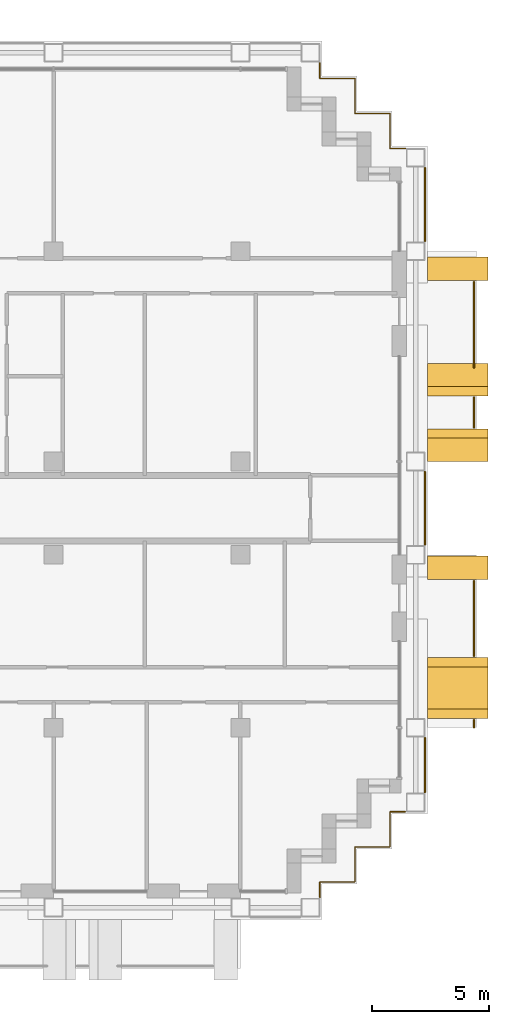
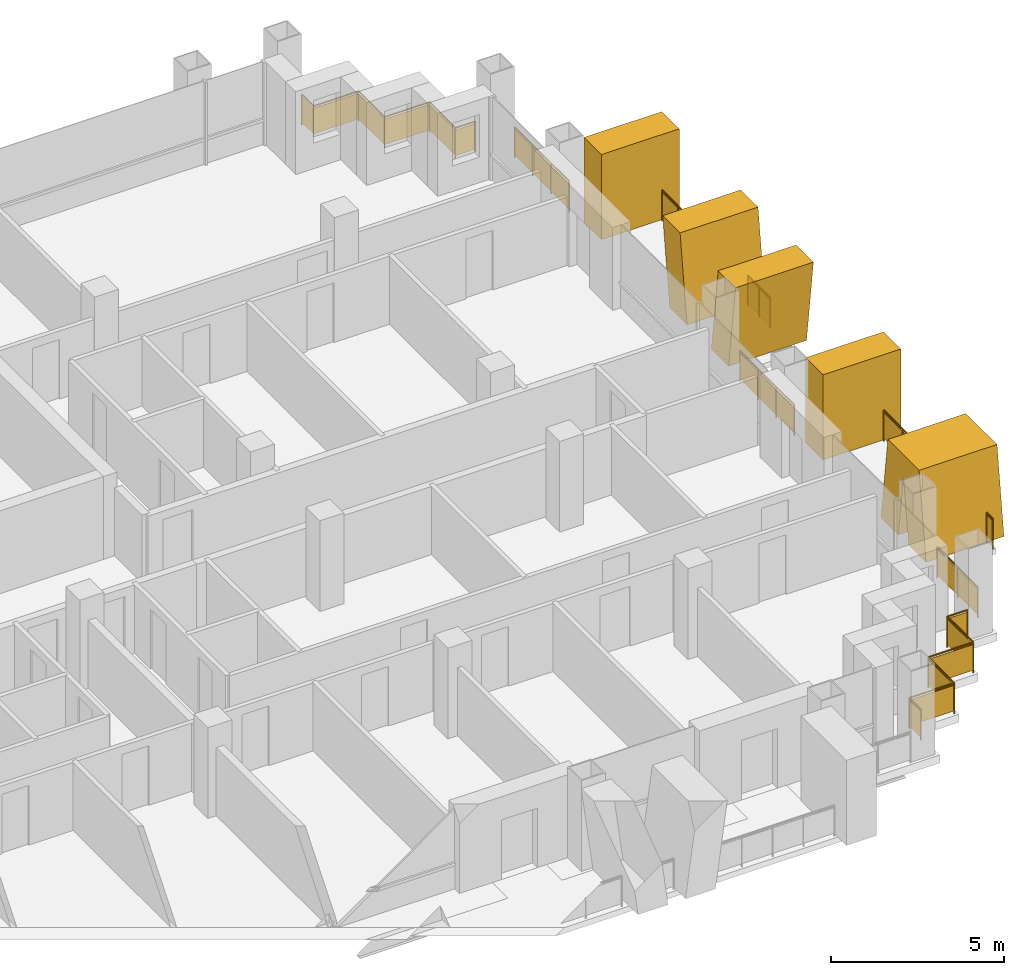
# One storey, part 18 of 18: 9 railings, 5 shading devices.
"""IFC4 building model written with IfcOpenShell, lengths in metres."""

from ifc_helpers import new_model, si_unit, direction, frame, origin, origin_2d, place, context, subcontext, project, spatial, polyline, rectangle, circle, outline, extrude, material, layer, layer_set, type_object, element, save


model = new_model("IFC4")

# Units and contexts
model_context = context("Model", 3, precision=1e-05, world=origin(), true_north=direction((0.0, 1.0)))
body_context = subcontext(model_context, "Body", "Model", "MODEL_VIEW")
ifc_project = project(units=[si_unit("LENGTHUNIT", "METRE"), si_unit("AREAUNIT", "SQUARE_METRE"), si_unit("VOLUMEUNIT", "CUBIC_METRE"), si_unit("PLANEANGLEUNIT", "RADIAN"), si_unit("MASSUNIT", "GRAM", prefix="KILO")], contexts=[model_context])

# Site, building, storey
site_placement = place(None, origin())
site = spatial("IfcSite", under=ifc_project, at=site_placement, CompositionType="ELEMENT")
building_placement = place(site_placement, origin())
building = spatial("IfcBuilding", under=site, at=building_placement, Name="Vidyagriha Tower", CompositionType="ELEMENT")
storey_placement = place(building_placement, frame((0.0, 0.0, 142.199951171875)))
storey = spatial("IfcBuildingStorey", under=building, at=storey_placement, Name="L37", CompositionType="ELEMENT", Elevation=142.199951171875)

# Railings
ifc_material_1 = material(Name="Steel ASTM A500 Grade C black painted", Category="steel")
railing_type_1 = type_object("IfcRailingType", Name="Balcony guard 1100", PredefinedType="BALUSTRADE", material=ifc_material_1)
railing_1_placement = place(storey_placement, frame((36.0, -9.39990234375, 0.0)))
element("IfcRailing", 1, at=railing_1_placement, inside=storey, type_object=railing_type_1, Name="Balcony guard L37 R30.1-1", PredefinedType="BALUSTRADE", context=body_context, shape_type="SweptSolid", body=[
    extrude(circle(Radius=0.02490234375, at=origin_2d()), frame((0.0, 0.0, 1.0751953125), z_axis=(0.0, 1.0, 0.0), x_axis=(-1.0, 0.0, 0.0)), (0.0, 0.0, 1.0), 0.349853515625),
    extrude(circle(Radius=0.02001953125, at=origin_2d()), origin(), (0.0, 0.0, 1.0), 1.050048828125),
    extrude(circle(Radius=0.02001953125, at=origin_2d()), frame((0.0, 0.349853515625, 0.0)), (0.0, 0.0, 1.0), 1.050048828125),
    extrude(rectangle(XDim=0.010009765625, YDim=0.900146484375, at=origin_2d()), frame((0.0, 0.0, 0.550048828125), z_axis=(0.0, 1.0, 0.0), x_axis=(-1.0, 0.0, 0.0)), (0.0, 0.0, 1.0), 0.349853515625),
])
railing_2_placement = place(storey_placement, frame((36.0, -6.35009765625, 0.0)))
element("IfcRailing", 2, at=railing_2_placement, inside=storey, type_object=railing_type_1, Name="Balcony guard L37 R30.1-2", PredefinedType="BALUSTRADE", context=body_context, shape_type="SweptSolid", body=[
    extrude(circle(Radius=0.02490234375, at=origin_2d()), frame((0.0, 0.0, 1.0751953125), z_axis=(0.0, 1.0, 0.0), x_axis=(-1.0, 0.0, 0.0)), (0.0, 0.0, 1.0), 3.25),
    extrude(circle(Radius=0.02001953125, at=origin_2d()), origin(), (0.0, 0.0, 1.0), 1.050048828125),
    extrude(circle(Radius=0.02001953125, at=origin_2d()), frame((0.0, 1.083251953125, 0.0)), (0.0, 0.0, 1.0), 1.050048828125),
    extrude(circle(Radius=0.02001953125, at=origin_2d()), frame((0.0, 2.166748046875, 0.0)), (0.0, 0.0, 1.0), 1.050048828125),
    extrude(circle(Radius=0.02001953125, at=origin_2d()), frame((0.0, 3.25, 0.0)), (0.0, 0.0, 1.0), 1.050048828125),
    extrude(rectangle(XDim=0.010009765625, YDim=0.900146484375, at=origin_2d()), frame((0.0, 0.0, 0.550048828125), z_axis=(0.0, 1.0, 0.0), x_axis=(-1.0, 0.0, 0.0)), (0.0, 0.0, 1.0), 3.25),
])
railing_3_placement = place(storey_placement, frame((36.0, 3.449951171875, 0.0)))
element("IfcRailing", 3, at=railing_3_placement, inside=storey, type_object=railing_type_1, Name="Balcony guard L37 R30.2-1", PredefinedType="BALUSTRADE", context=body_context, shape_type="SweptSolid", body=[
    extrude(circle(Radius=0.02490234375, at=origin_2d()), frame((0.0, 0.0, 1.0751953125), z_axis=(0.0, 1.0, 0.0), x_axis=(-1.0, 0.0, 0.0)), (0.0, 0.0, 1.0), 1.300048828125),
    extrude(circle(Radius=0.02001953125, at=origin_2d()), origin(), (0.0, 0.0, 1.0), 1.050048828125),
    extrude(circle(Radius=0.02001953125, at=origin_2d()), frame((0.0, 0.64990234375, 0.0)), (0.0, 0.0, 1.0), 1.050048828125),
    extrude(circle(Radius=0.02001953125, at=origin_2d()), frame((0.0, 1.300048828125, 0.0)), (0.0, 0.0, 1.0), 1.050048828125),
    extrude(rectangle(XDim=0.010009765625, YDim=0.900146484375, at=origin_2d()), frame((0.0, 0.0, 0.550048828125), z_axis=(0.0, 1.0, 0.0), x_axis=(-1.0, 0.0, 0.0)), (0.0, 0.0, 1.0), 1.300048828125),
])
railing_4_placement = place(storey_placement, frame((36.0, 6.00341796875, 0.0)))
element("IfcRailing", 4, at=railing_4_placement, inside=storey, type_object=railing_type_1, Name="Balcony guard L37 R30.2-2", PredefinedType="BALUSTRADE", context=body_context, shape_type="SweptSolid", body=[
    extrude(circle(Radius=0.02490234375, at=origin_2d()), frame((0.0, 0.0, 1.0751953125), z_axis=(0.0, 1.0, 0.0), x_axis=(-1.0, 0.0, 0.0)), (0.0, 0.0, 1.0), 3.696533203125),
    extrude(circle(Radius=0.02001953125, at=origin_2d()), origin(), (0.0, 0.0, 1.0), 1.050048828125),
    extrude(circle(Radius=0.02001953125, at=origin_2d()), frame((0.0, 0.924072265625, 0.0)), (0.0, 0.0, 1.0), 1.050048828125),
    extrude(circle(Radius=0.02001953125, at=origin_2d()), frame((0.0, 1.84814453125, 0.0)), (0.0, 0.0, 1.0), 1.050048828125),
    extrude(circle(Radius=0.02001953125, at=origin_2d()), frame((0.0, 2.7724609375, 0.0)), (0.0, 0.0, 1.0), 1.050048828125),
    extrude(circle(Radius=0.02001953125, at=origin_2d()), frame((0.0, 3.696533203125, 0.0)), (0.0, 0.0, 1.0), 1.050048828125),
    extrude(rectangle(XDim=0.010009765625, YDim=0.900146484375, at=origin_2d()), frame((0.0, 0.0, 0.550048828125), z_axis=(0.0, 1.0, 0.0), x_axis=(-1.0, 0.0, 0.0)), (0.0, 0.0, 1.0), 3.696533203125),
])

# Shading devices
ifc_material_2 = material(Name="Precast concrete C40/50 with buff brick facing", Category="concrete")
ifc_layer_1 = layer(ifc_material_2, 1.0)
ifc_layer_set_1 = layer_set([ifc_layer_1], Name="Precast concrete C40/50 with buff brick facing")
shading_device_type_1 = type_object("IfcShadingDeviceType", Name="Brick-faced blade fin arm leaning 8 degrees", PredefinedType="USERDEFINED", material=ifc_layer_set_1)
shading_device_1_placement = place(storey_placement, frame((35.300048828125, 4.800048828125, 0.0), z_axis=(0.0, 0.0, 1.0), x_axis=(0.0, 1.0, 0.0)))
element("IfcShadingDevice", 5, at=shading_device_1_placement, inside=storey, type_object=shading_device_type_1, Name="Leaning blade fin L37 R30.1360a", ObjectType="BLADE FIN", PredefinedType="USERDEFINED", context=body_context, shape_type="SweptSolid", body=[
    extrude(outline(polyline([(0.0, 0.0), (1.0, 0.0), (1.39990234375, 3.0), (0.39990234375, 3.0), (0.0, 0.0)])), frame((0.0, 1.300048828125, 0.0), z_axis=(0.0, -1.0, 0.0), x_axis=(1.0, 0.0, 0.0)), (0.0, 0.0, 1.0), 2.60009765625),
])
shading_device_2_placement = place(storey_placement, frame((35.300048828125, 2.0, 0.0), z_axis=(0.0, 0.0, 1.0), x_axis=(0.0, 1.0, 0.0)))
element("IfcShadingDevice", 6, at=shading_device_2_placement, inside=storey, type_object=shading_device_type_1, Name="Leaning blade fin L37 R30.1360b", ObjectType="BLADE FIN", PredefinedType="USERDEFINED", context=body_context, shape_type="SweptSolid", body=[
    extrude(outline(polyline([(0.39990234375, 0.0), (1.39990234375, 0.0), (1.0, 3.0), (0.0, 3.0), (0.39990234375, 0.0)])), frame((0.0, 1.300048828125, 0.0), z_axis=(0.0, -1.0, 0.0), x_axis=(1.0, 0.0, 0.0)), (0.0, 0.0, 1.0), 2.60009765625),
])
ifc_material_3 = material(Name="Precast concrete C40/50 with buff brick facing", Category="concrete")
ifc_layer_2 = layer(ifc_material_3, 1.0)
ifc_layer_set_2 = layer_set([ifc_layer_2], Name="Precast concrete C40/50 with buff brick facing")
shading_device_type_2 = type_object("IfcShadingDeviceType", Name="Brick-faced blade fin forking 8 degrees", PredefinedType="USERDEFINED", material=ifc_layer_set_2)
shading_device_3_placement = place(storey_placement, frame((35.300048828125, -9.0, 0.0), z_axis=(0.0, 0.0, 1.0), x_axis=(0.0, 1.0, 0.0)))
element("IfcShadingDevice", 7, at=shading_device_3_placement, inside=storey, type_object=shading_device_type_2, Name="Forked blade fin L37 R30.220a", ObjectType="BLADE FIN", PredefinedType="USERDEFINED", context=body_context, shape_type="SweptSolid", body=[
    extrude(outline(polyline([(1.0, 0.0), (1.300048828125, 2.25), (1.60009765625, 0.0), (2.60009765625, 0.0), (2.199951171875, 3.0), (0.39990234375, 3.0), (0.0, 0.0), (1.0, 0.0)])), frame((0.0, 1.300048828125, 0.0), z_axis=(0.0, -1.0, 0.0), x_axis=(1.0, 0.0, 0.0)), (0.0, 0.0, 1.0), 2.60009765625),
])
ifc_material_4 = material(Name="Precast concrete C40/50 with buff brick facing", Category="concrete")
ifc_layer_3 = layer(ifc_material_4, 1.0)
ifc_layer_set_3 = layer_set([ifc_layer_3], Name="Precast concrete C40/50 with buff brick facing")
shading_device_type_3 = type_object("IfcShadingDeviceType", Name="Brick-faced blade fin stem 1000", PredefinedType="USERDEFINED", material=ifc_layer_set_3)
for number, where, z_axis, x_axis, name in (
    (8, (35.300048828125, -3.050048828125, 0.0), (0.0, 0.0, 1.0), (0.0, 1.0, 0.0), "Stem blade fin L37 R30.960a"),
    (9, (35.300048828125, 9.75, 0.0), (0.0, 0.0, 1.0), (0.0, 1.0, 0.0), "Stem blade fin L37 R30.2260a"),
):
    element("IfcShadingDevice", number, at=place(storey_placement, frame(where, z_axis=z_axis, x_axis=x_axis)), inside=storey, type_object=shading_device_type_3, Name=name, ObjectType="BLADE FIN", PredefinedType="USERDEFINED", context=body_context, shape_type="SweptSolid", body=[
        extrude(outline(polyline([(0.0, 0.0), (1.0, 0.0), (1.0, 3.0), (0.0, 3.0), (0.0, 0.0)])), frame((0.0, 1.300048828125, 0.0), z_axis=(0.0, -1.0, 0.0), x_axis=(1.0, 0.0, 0.0)), (0.0, 0.0, 1.0), 2.60009765625),
    ])

# Railings
ifc_material_5 = material(Name="Steel ASTM A500 Grade C black painted", Category="steel")
railing_type_2 = type_object("IfcRailingType", Name="Gallery guard 1100", PredefinedType="GUARDRAIL", material=ifc_material_5)
railing_5_placement = place(storey_placement, frame((33.070068359375, -13.0, 0.0)))
element("IfcRailing", 10, at=railing_5_placement, inside=storey, type_object=railing_type_2, Name="Gallery guard L37 13", PredefinedType="GUARDRAIL", context=body_context, shape_type="SweptSolid", body=[
    extrude(circle(Radius=0.02490234375, at=origin_2d()), frame((0.0, 0.0, 1.0751953125), z_axis=(-1.0, 0.0, 0.0), x_axis=(0.0, -1.0, 0.0)), (0.0, 0.0, 1.0), 0.670166015625),
    extrude(circle(Radius=0.02490234375, at=origin_2d()), frame((-0.670166015625, 0.0, 1.0751953125), z_axis=(0.0, -1.0, 0.0), x_axis=(1.0, 0.0, 0.0)), (0.0, 0.0, 1.0), 1.5),
    extrude(circle(Radius=0.02490234375, at=origin_2d()), frame((-0.670166015625, -1.5, 1.0751953125), z_axis=(-1.0, 0.0, 0.0), x_axis=(0.0, -1.0, 0.0)), (0.0, 0.0, 1.0), 1.5),
    extrude(circle(Radius=0.02490234375, at=origin_2d()), frame((-2.170166015625, -1.5, 1.0751953125), z_axis=(0.0, -1.0, 0.0), x_axis=(1.0, 0.0, 0.0)), (0.0, 0.0, 1.0), 1.5),
    extrude(circle(Radius=0.02490234375, at=origin_2d()), frame((-2.170166015625, -3.0, 1.0751953125), z_axis=(-1.0, 0.0, 0.0), x_axis=(0.0, -1.0, 0.0)), (0.0, 0.0, 1.0), 1.5),
    extrude(circle(Radius=0.02490234375, at=origin_2d()), frame((-3.670166015625, -3.0, 1.0751953125), z_axis=(0.0, -1.0, 0.0), x_axis=(1.0, 0.0, 0.0)), (0.0, 0.0, 1.0), 0.669921875),
    extrude(circle(Radius=0.02001953125, at=origin_2d()), origin(), (0.0, 0.0, 1.0), 1.050048828125),
    extrude(circle(Radius=0.02001953125, at=origin_2d()), frame((-0.670166015625, 0.0, 0.0)), (0.0, 0.0, 1.0), 1.050048828125),
    extrude(circle(Radius=0.02001953125, at=origin_2d()), frame((-0.670166015625, -1.5, 0.0)), (0.0, 0.0, 1.0), 1.050048828125),
    extrude(circle(Radius=0.02001953125, at=origin_2d()), frame((-2.170166015625, -1.5, 0.0)), (0.0, 0.0, 1.0), 1.050048828125),
    extrude(circle(Radius=0.02001953125, at=origin_2d()), frame((-2.170166015625, -3.0, 0.0)), (0.0, 0.0, 1.0), 1.050048828125),
    extrude(circle(Radius=0.02001953125, at=origin_2d()), frame((-3.670166015625, -3.0, 0.0)), (0.0, 0.0, 1.0), 1.050048828125),
    extrude(circle(Radius=0.02001953125, at=origin_2d()), frame((-3.670166015625, -3.669921875, 0.0)), (0.0, 0.0, 1.0), 1.050048828125),
    extrude(rectangle(XDim=0.010009765625, YDim=0.900146484375, at=origin_2d()), frame((0.0, 0.0, 0.550048828125), z_axis=(-1.0, 0.0, 0.0), x_axis=(0.0, -1.0, 0.0)), (0.0, 0.0, 1.0), 0.670166015625),
    extrude(rectangle(XDim=0.010009765625, YDim=0.900146484375, at=origin_2d()), frame((-0.670166015625, 0.0, 0.550048828125), z_axis=(0.0, -1.0, 0.0), x_axis=(1.0, 0.0, 0.0)), (0.0, 0.0, 1.0), 1.5),
    extrude(rectangle(XDim=0.010009765625, YDim=0.900146484375, at=origin_2d()), frame((-0.670166015625, -1.5, 0.550048828125), z_axis=(-1.0, 0.0, 0.0), x_axis=(0.0, -1.0, 0.0)), (0.0, 0.0, 1.0), 1.5),
    extrude(rectangle(XDim=0.010009765625, YDim=0.900146484375, at=origin_2d()), frame((-2.170166015625, -1.5, 0.550048828125), z_axis=(0.0, -1.0, 0.0), x_axis=(1.0, 0.0, 0.0)), (0.0, 0.0, 1.0), 1.5),
    extrude(rectangle(XDim=0.010009765625, YDim=0.900146484375, at=origin_2d()), frame((-2.170166015625, -3.0, 0.550048828125), z_axis=(-1.0, 0.0, 0.0), x_axis=(0.0, -1.0, 0.0)), (0.0, 0.0, 1.0), 1.5),
    extrude(rectangle(XDim=0.010009765625, YDim=0.900146484375, at=origin_2d()), frame((-3.670166015625, -3.0, 0.550048828125), z_axis=(0.0, -1.0, 0.0), x_axis=(1.0, 0.0, 0.0)), (0.0, 0.0, 1.0), 0.669921875),
])
railing_6_placement = place(storey_placement, frame((29.39990234375, 19.070068359375, 0.0)))
element("IfcRailing", 11, at=railing_6_placement, inside=storey, type_object=railing_type_2, Name="Gallery guard L37 14", PredefinedType="GUARDRAIL", context=body_context, shape_type="SweptSolid", body=[
    extrude(circle(Radius=0.02490234375, at=origin_2d()), frame((0.0, 0.0, 1.0751953125), z_axis=(0.0, -1.0, 0.0), x_axis=(1.0, 0.0, 0.0)), (0.0, 0.0, 1.0), 0.670166015625),
    extrude(circle(Radius=0.02490234375, at=origin_2d()), frame((0.0, -0.670166015625, 1.0751953125), z_axis=(1.0, 0.0, 0.0), x_axis=(0.0, 1.0, 0.0)), (0.0, 0.0, 1.0), 1.5),
    extrude(circle(Radius=0.02490234375, at=origin_2d()), frame((1.5, -0.670166015625, 1.0751953125), z_axis=(0.0, -1.0, 0.0), x_axis=(1.0, 0.0, 0.0)), (0.0, 0.0, 1.0), 1.5),
    extrude(circle(Radius=0.02490234375, at=origin_2d()), frame((1.5, -2.170166015625, 1.0751953125), z_axis=(1.0, 0.0, 0.0), x_axis=(0.0, 1.0, 0.0)), (0.0, 0.0, 1.0), 1.5),
    extrude(circle(Radius=0.02490234375, at=origin_2d()), frame((3.0, -2.170166015625, 1.0751953125), z_axis=(0.0, -1.0, 0.0), x_axis=(1.0, 0.0, 0.0)), (0.0, 0.0, 1.0), 1.5),
    extrude(circle(Radius=0.02490234375, at=origin_2d()), frame((3.0, -3.670166015625, 1.0751953125), z_axis=(1.0, 0.0, 0.0), x_axis=(0.0, 1.0, 0.0)), (0.0, 0.0, 1.0), 0.670166015625),
    extrude(circle(Radius=0.02001953125, at=origin_2d()), origin(), (0.0, 0.0, 1.0), 1.050048828125),
    extrude(circle(Radius=0.02001953125, at=origin_2d()), frame((0.0, -0.670166015625, 0.0)), (0.0, 0.0, 1.0), 1.050048828125),
    extrude(circle(Radius=0.02001953125, at=origin_2d()), frame((1.5, -0.670166015625, 0.0)), (0.0, 0.0, 1.0), 1.050048828125),
    extrude(circle(Radius=0.02001953125, at=origin_2d()), frame((1.5, -2.170166015625, 0.0)), (0.0, 0.0, 1.0), 1.050048828125),
    extrude(circle(Radius=0.02001953125, at=origin_2d()), frame((3.0, -2.170166015625, 0.0)), (0.0, 0.0, 1.0), 1.050048828125),
    extrude(circle(Radius=0.02001953125, at=origin_2d()), frame((3.0, -3.670166015625, 0.0)), (0.0, 0.0, 1.0), 1.050048828125),
    extrude(circle(Radius=0.02001953125, at=origin_2d()), frame((3.670166015625, -3.670166015625, 0.0)), (0.0, 0.0, 1.0), 1.050048828125),
    extrude(rectangle(XDim=0.010009765625, YDim=0.900146484375, at=origin_2d()), frame((0.0, 0.0, 0.550048828125), z_axis=(0.0, -1.0, 0.0), x_axis=(1.0, 0.0, 0.0)), (0.0, 0.0, 1.0), 0.670166015625),
    extrude(rectangle(XDim=0.010009765625, YDim=0.900146484375, at=origin_2d()), frame((0.0, -0.670166015625, 0.550048828125), z_axis=(1.0, 0.0, 0.0), x_axis=(0.0, 1.0, 0.0)), (0.0, 0.0, 1.0), 1.5),
    extrude(rectangle(XDim=0.010009765625, YDim=0.900146484375, at=origin_2d()), frame((1.5, -0.670166015625, 0.550048828125), z_axis=(0.0, -1.0, 0.0), x_axis=(1.0, 0.0, 0.0)), (0.0, 0.0, 1.0), 1.5),
    extrude(rectangle(XDim=0.010009765625, YDim=0.900146484375, at=origin_2d()), frame((1.5, -2.170166015625, 0.550048828125), z_axis=(1.0, 0.0, 0.0), x_axis=(0.0, 1.0, 0.0)), (0.0, 0.0, 1.0), 1.5),
    extrude(rectangle(XDim=0.010009765625, YDim=0.900146484375, at=origin_2d()), frame((3.0, -2.170166015625, 0.550048828125), z_axis=(0.0, -1.0, 0.0), x_axis=(1.0, 0.0, 0.0)), (0.0, 0.0, 1.0), 1.5),
    extrude(rectangle(XDim=0.010009765625, YDim=0.900146484375, at=origin_2d()), frame((3.0, -3.670166015625, 0.550048828125), z_axis=(1.0, 0.0, 0.0), x_axis=(0.0, 1.0, 0.0)), (0.0, 0.0, 1.0), 0.670166015625),
])
railing_7_placement = place(storey_placement, frame((33.89990234375, -9.830078125, 0.0)))
element("IfcRailing", 12, at=railing_7_placement, inside=storey, type_object=railing_type_2, Name="Gallery guard L37 15", PredefinedType="GUARDRAIL", context=body_context, shape_type="SweptSolid", body=[
    extrude(circle(Radius=0.02490234375, at=origin_2d()), frame((0.0, 0.0, 1.0751953125), z_axis=(0.0, -1.0, 0.0), x_axis=(1.0, 0.0, 0.0)), (0.0, 0.0, 1.0), 2.33984375),
    extrude(circle(Radius=0.02001953125, at=origin_2d()), origin(), (0.0, 0.0, 1.0), 1.050048828125),
    extrude(circle(Radius=0.02001953125, at=origin_2d()), frame((0.0, -1.169921875, 0.0)), (0.0, 0.0, 1.0), 1.050048828125),
    extrude(circle(Radius=0.02001953125, at=origin_2d()), frame((0.0, -2.33984375, 0.0)), (0.0, 0.0, 1.0), 1.050048828125),
    extrude(rectangle(XDim=0.010009765625, YDim=0.900146484375, at=origin_2d()), frame((0.0, 0.0, 0.550048828125), z_axis=(0.0, -1.0, 0.0), x_axis=(1.0, 0.0, 0.0)), (0.0, 0.0, 1.0), 2.33984375),
])
for number, where, name in (
    (13, (33.89990234375, 1.570068359375, 0.0), "Gallery guard L37 16"),
    (14, (33.89990234375, 14.570068359375, 0.0), "Gallery guard L37 17"),
):
    element("IfcRailing", number, at=place(storey_placement, frame(where)), inside=storey, type_object=railing_type_2, Name=name, PredefinedType="GUARDRAIL", context=body_context, shape_type="SweptSolid", body=[
        extrude(circle(Radius=0.02490234375, at=origin_2d()), frame((0.0, 0.0, 1.0751953125), z_axis=(0.0, -1.0, 0.0), x_axis=(1.0, 0.0, 0.0)), (0.0, 0.0, 1.0), 3.14013671875),
        extrude(circle(Radius=0.02001953125, at=origin_2d()), origin(), (0.0, 0.0, 1.0), 1.050048828125),
        extrude(circle(Radius=0.02001953125, at=origin_2d()), frame((0.0, -1.046630859375, 0.0)), (0.0, 0.0, 1.0), 1.050048828125),
        extrude(circle(Radius=0.02001953125, at=origin_2d()), frame((0.0, -2.093505859375, 0.0)), (0.0, 0.0, 1.0), 1.050048828125),
        extrude(circle(Radius=0.02001953125, at=origin_2d()), frame((0.0, -3.14013671875, 0.0)), (0.0, 0.0, 1.0), 1.050048828125),
        extrude(rectangle(XDim=0.010009765625, YDim=0.900146484375, at=origin_2d()), frame((0.0, 0.0, 0.550048828125), z_axis=(0.0, -1.0, 0.0), x_axis=(1.0, 0.0, 0.0)), (0.0, 0.0, 1.0), 3.14013671875),
    ])

save(model, "model.ifc")
